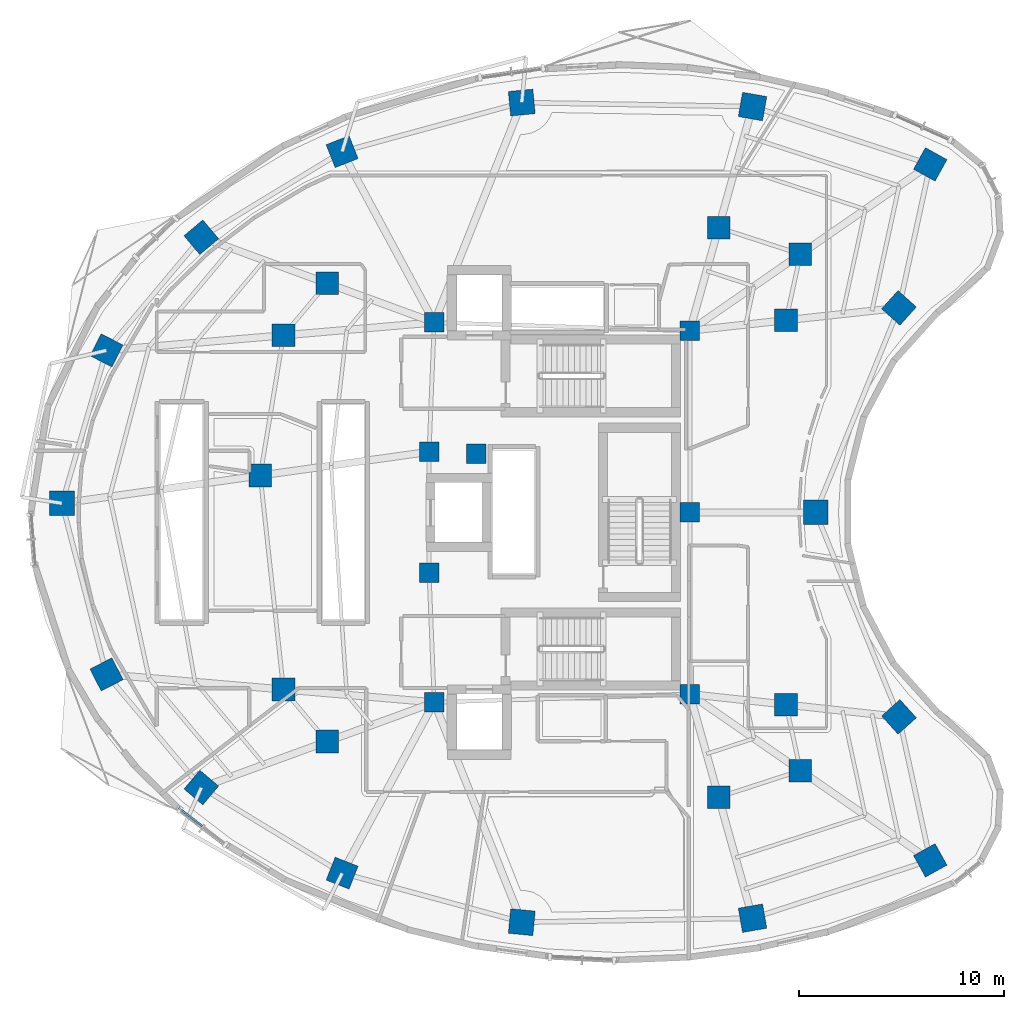
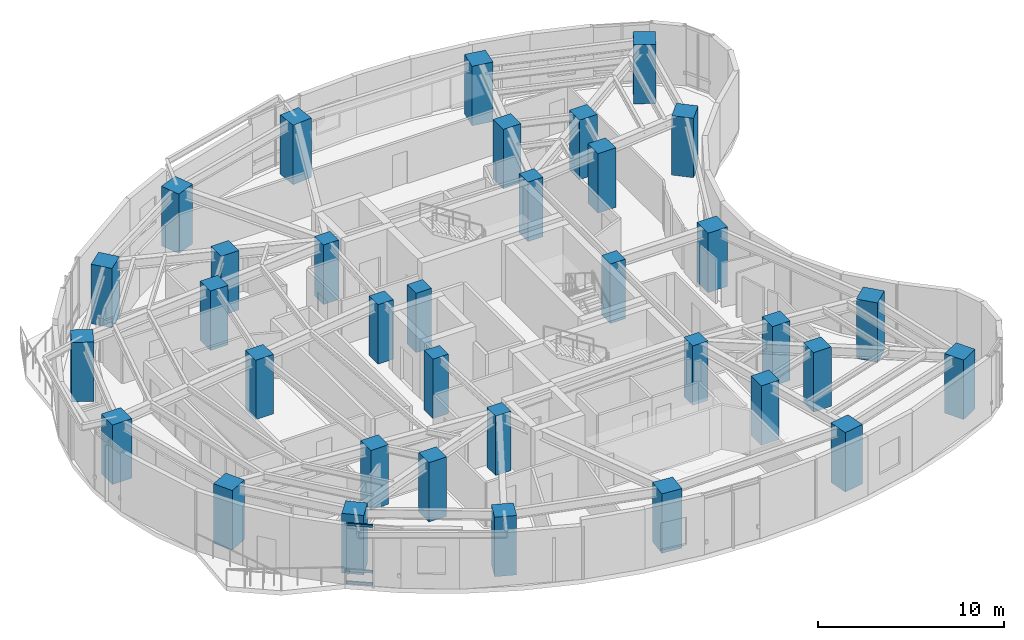
# One storey, part 1 of 15: 35 columns, 3 members, 1 element without a shape of its own.
"""IFC4 building model written with IfcOpenShell, lengths in metres."""

from ifc_helpers import new_model, si_unit, direction, frame, origin, origin_2d, place, context, subcontext, project, spatial, rectangle, extrude, material, layer, layer_set, material_profile, profile_set, type_object, element, aggregate, save


model = new_model("IFC4")

# Units and contexts
model_context = context("Model", 3, precision=1e-05, world=origin(), true_north=direction((0.0, 1.0)))
body_context = subcontext(model_context, "Body", "Model", "MODEL_VIEW")
ifc_project = project(units=[si_unit("LENGTHUNIT", "METRE"), si_unit("AREAUNIT", "SQUARE_METRE"), si_unit("VOLUMEUNIT", "CUBIC_METRE"), si_unit("PLANEANGLEUNIT", "RADIAN"), si_unit("MASSUNIT", "GRAM", prefix="KILO")], contexts=[model_context])

# Site, building, storey
site_placement = place(None, origin())
site = spatial("IfcSite", under=ifc_project, at=site_placement, CompositionType="ELEMENT")
building_placement = place(site_placement, origin())
building = spatial("IfcBuilding", under=site, at=building_placement, Name="Korentha Bioscience Tower", CompositionType="ELEMENT")
storey_placement = place(building_placement, frame((0.0, 0.0, 115.199951171875)))
storey = spatial("IfcBuildingStorey", under=building, at=storey_placement, Name="L26", CompositionType="ELEMENT", Elevation=115.199951171875)

# Columns
ifc_material_1 = material(Name="Concrete C65", Category="concrete")
ifc_material_profile_1 = material_profile(ifc_material_1, rectangle(XDim=0.949951171875, YDim=0.949951171875, at=origin_2d()), Name="Concrete C65")
ifc_profile_set_1 = profile_set([ifc_material_profile_1], Name="Concrete C65 (COL-CP09)")
column_type_1 = type_object("IfcColumnType", Name="Core Pilaster Column RC 950x950", PredefinedType="PILASTER", material=ifc_profile_set_1)
for number, where, z_axis, x_axis, name in (
    (1, (37.550048828125, 35.85009765625, -0.00048828125), (0.0, 0.0, 1.0), (1.0, 0.0, 0.0), "L26 Core Pilaster CP-01"),
    (2, (25.10009765625, 36.25, -0.00048828125), (0.0, 0.0, 1.0), (1.0, 0.0, 0.0), "L26 Core Pilaster CP-02"),
    (3, (24.85009765625, 29.949951171875, -0.00048828125), (0.0, 0.0, 1.0), (1.0, 0.0, 0.0), "L26 Core Pilaster CP-03"),
    (4, (27.14990234375, 29.85009765625, -0.00048828125), (0.0, 0.0, 1.0), (1.0, 0.0, 0.0), "L26 Core Pilaster CP-04"),
    (5, (24.85009765625, 24.050048828125, -0.00048828125), (0.0, 0.0, 1.0), (1.0, 0.0, 0.0), "L26 Core Pilaster CP-05"),
    (6, (25.10009765625, 17.75, -0.00048828125), (0.0, 0.0, 1.0), (1.0, 0.0, 0.0), "L26 Core Pilaster CP-06"),
    (7, (37.550048828125, 18.14990234375, -0.00048828125), (0.0, 0.0, 1.0), (1.0, 0.0, 0.0), "L26 Core Pilaster CP-07"),
    (8, (37.550048828125, 27.0, -0.00048828125), (0.0, 0.0, 1.0), (1.0, 0.0, 0.0), "L26 Core Pilaster CP-08"),
):
    element("IfcColumn", number, at=place(storey_placement, frame(where, z_axis=z_axis, x_axis=x_axis)), inside=storey, type_object=column_type_1, Name=name, PredefinedType="PILASTER", context=body_context, shape_type="SweptSolid", body=[
        extrude(rectangle(XDim=0.949951171875, YDim=0.949951171875, at=origin_2d()), origin(), (0.0, 0.0, 1.0), 3.901123046875),
    ])
ifc_material_2 = material(Name="Concrete C80", Category="concrete")
ifc_material_profile_2 = material_profile(ifc_material_2, rectangle(XDim=1.10009765625, YDim=1.10009765625, at=origin_2d()), Name="Concrete C80")
ifc_profile_set_2 = profile_set([ifc_material_profile_2], Name="Concrete C80 (COL-MR11)")
column_type_2 = type_object("IfcColumnType", Name="Mid-Ring Lab Column RC 1100x1100", PredefinedType="COLUMN", material=ifc_profile_set_2)
for number, where, z_axis, x_axis, name in (
    (9, (42.93603515625, 39.57470703125, -0.00048828125), (0.0, 0.0, 1.0), (1.0, 0.0, 0.0), "L26 Mid-Ring Column 01"),
    (10, (38.954833984375, 40.870849609375, -0.00048828125), (0.0, 0.0, 1.0), (1.0, 0.0, 0.0), "L26 Mid-Ring Column 02"),
    (11, (19.882568359375, 38.158935546875, -0.00048828125), (0.0, 0.0, 1.0), (1.0, 0.0, 0.0), "L26 Mid-Ring Column 05"),
    (12, (17.75927734375, 35.6240234375, -0.00048828125), (0.0, 0.0, 1.0), (1.0, 0.0, 0.0), "L26 Mid-Ring Column 06"),
    (13, (16.627197265625, 28.796630859375, -0.00048828125), (0.0, 0.0, 1.0), (1.0, 0.0, 0.0), "L26 Mid-Ring Column 07"),
    (14, (17.75927734375, 18.3759765625, -0.00048828125), (0.0, 0.0, 1.0), (1.0, 0.0, 0.0), "L26 Mid-Ring Column 08"),
    (15, (19.882568359375, 15.841064453125, -0.00048828125), (0.0, 0.0, 1.0), (1.0, 0.0, 0.0), "L26 Mid-Ring Column 09"),
    (16, (38.954833984375, 13.129150390625, -0.00048828125), (0.0, 0.0, 1.0), (1.0, 0.0, 0.0), "L26 Mid-Ring Column 12"),
    (17, (42.93603515625, 14.42529296875, -0.00048828125), (0.0, 0.0, 1.0), (1.0, 0.0, 0.0), "L26 Mid-Ring Column 13"),
    (18, (42.235595703125, 17.639404296875, -0.00048828125), (0.0, 0.0, 1.0), (1.0, 0.0, 0.0), "L26 Mid-Ring Column 14"),
    (19, (42.235595703125, 36.360595703125, -0.00048828125), (0.0, 0.0, 1.0), (1.0, 0.0, 0.0), "L26 Mid-Ring Column 16"),
):
    element("IfcColumn", number, at=place(storey_placement, frame(where, z_axis=z_axis, x_axis=x_axis)), inside=storey, type_object=column_type_2, Name=name, PredefinedType="COLUMN", context=body_context, shape_type="SweptSolid", body=[
        extrude(rectangle(XDim=1.10009765625, YDim=1.10009765625, at=origin_2d()), origin(), (0.0, 0.0, 1.0), 3.901123046875),
    ])
ifc_material_profile_3 = material_profile(ifc_material_2, rectangle(XDim=1.199951171875, YDim=1.199951171875, at=origin_2d()), Name="Concrete C80")
ifc_profile_set_3 = profile_set([ifc_material_profile_3], Name="Concrete C80 (COL-P12)")
column_type_3 = type_object("IfcColumnType", Name="Perimeter Column RC 1200x1200", PredefinedType="COLUMN", material=ifc_profile_set_3)
for number, where, z_axis, x_axis, name in (
    (20, (49.2587890625, 43.947021484375, -0.00048828125), (0.0, 0.0, 1.0), (-0.874535078577, 0.484962262797, 0.0), "L26 Perimeter Column 01"),
    (21, (40.604248046875, 46.764892578125, -0.00048828125), (0.0, 0.0, 1.0), (-0.984868307662, 0.173304404339, 0.0), "L26 Perimeter Column 02"),
    (22, (29.3642578125, 46.959228515625, -0.00048828125), (0.0, 0.0, 1.0), (0.995462868748, 0.095150811579, 0.0), "L26 Perimeter Column 03"),
    (23, (20.614990234375, 44.5693359375, -0.00048828125), (0.0, 0.0, 1.0), (0.930225540858, 0.366988341962, 0.0), "L26 Perimeter Column 04"),
    (24, (13.7578125, 40.400146484375, -0.00048828125), (0.0, 0.0, 1.0), (0.764246456939, 0.644924300253, 0.0), "L26 Perimeter Column 05"),
    (25, (9.141845703125, 34.889404296875, -0.00048828125), (0.0, 0.0, 1.0), (0.453057191132, 0.891481453292, 0.0), "L26 Perimeter Column 06"),
    (26, (6.97412109375, 27.4423828125, -0.00048828125), (0.0, 0.0, 1.0), (0.0, 1.0, 0.0), "L26 Perimeter Column 07"),
    (27, (9.141845703125, 19.110595703125, -0.00048828125), (0.0, 0.0, 1.0), (-0.453057191132, 0.891481453292, 0.0), "L26 Perimeter Column 08"),
    (28, (13.7578125, 13.599853515625, -0.00048828125), (0.0, 0.0, 1.0), (-0.764246456939, 0.644924300253, 0.0), "L26 Perimeter Column 09"),
    (29, (20.614990234375, 9.4306640625, -0.00048828125), (0.0, 0.0, 1.0), (-0.930225540858, 0.366988341962, 0.0), "L26 Perimeter Column 10"),
    (30, (29.3642578125, 7.040771484375, -0.00048828125), (0.0, 0.0, 1.0), (-0.995462868748, 0.095150811579, 0.0), "L26 Perimeter Column 11"),
    (31, (40.604248046875, 7.235107421875, -0.00048828125), (0.0, 0.0, 1.0), (0.984868307662, 0.173304404339, 0.0), "L26 Perimeter Column 12"),
    (32, (49.2587890625, 10.052978515625, -0.00048828125), (0.0, 0.0, 1.0), (0.874535078577, 0.484962262797, 0.0), "L26 Perimeter Column 13"),
    (33, (47.736083984375, 17.040283203125, -0.00048828125), (0.0, 0.0, 1.0), (-0.669130606359, 0.743144825477, 0.0), "L26 Perimeter Column 14"),
    (34, (43.680908203125, 27.0, -0.00048828125), (0.0, 0.0, 1.0), (0.0, 1.0, 0.0), "L26 Perimeter Column 15"),
    (35, (47.736083984375, 36.959716796875, -0.00048828125), (0.0, 0.0, 1.0), (0.669130606359, 0.743144825477, 0.0), "L26 Perimeter Column 16"),
):
    element("IfcColumn", number, at=place(storey_placement, frame(where, z_axis=z_axis, x_axis=x_axis)), inside=storey, type_object=column_type_3, Name=name, PredefinedType="COLUMN", context=body_context, shape_type="SweptSolid", body=[
        extrude(rectangle(XDim=1.199951171875, YDim=1.199951171875, at=origin_2d()), origin(), (0.0, 0.0, 1.0), 3.901123046875),
    ])

# Curtain wall, members
ifc_material_3 = material(Name="Thermally Broken Aluminium Frame", Category="aluminium")
ifc_layer = layer(ifc_material_3, 0.219970703125, Name="Thermally Broken Aluminium Frame")
ifc_layer_set = layer_set([ifc_layer], Name="Thermally Broken Aluminium Frame (CW-T2)")
curtain_wall_type = type_object("IfcCurtainWallType", Name="Solar-Screened Lab Unitised Curtain Wall CW-T2", PredefinedType="USERDEFINED", material=ifc_layer_set)
curtain_wall_placement = place(storey_placement, origin())
curtain_wall = element("IfcCurtainWall", 36, at=curtain_wall_placement, inside=storey, type_object=curtain_wall_type, Name="L26 Curtain Wall 25", ObjectType="UNITISED", PredefinedType="USERDEFINED")
ifc_material_4 = material(Name="Anodised Aluminium 6063-T6", Category="aluminium")
ifc_material_profile_4 = material_profile(ifc_material_4, rectangle(XDim=0.090087890625, YDim=0.159912109375, at=origin_2d()), Name="Anodised Aluminium 6063-T6")
ifc_profile_set_4 = profile_set([ifc_material_profile_4], Name="Anodised Aluminium 6063-T6 (CW-TRN)")
member_type = type_object("IfcMemberType", Name="Transom RECT 90x160", PredefinedType="USERDEFINED", material=ifc_profile_set_4)
member_1_placement = place(storey_placement, frame((12.659912109375, 12.601318359375, 0.045166015625), z_axis=(0.794559026989, -0.607186917374, 0.0), x_axis=(0.607186917374, 0.794559026989, 0.0)))
member_1 = element("IfcMember", 37, at=member_1_placement, type_object=member_type, Name="CW-L26-25 Bay 1 Transom 1", ObjectType="TRANSOM", PredefinedType="USERDEFINED", context=body_context, shape_type="SweptSolid", body=[
    extrude(rectangle(XDim=0.090087890625, YDim=0.159912109375, at=origin_2d()), origin(), (0.0, 0.0, 1.0), 1.4462890625),
])
member_2_placement = place(storey_placement, frame((12.659912109375, 12.601318359375, 0.85009765625), z_axis=(0.794559026989, -0.607186917374, 0.0), x_axis=(0.607186917374, 0.794559026989, 0.0)))
member_2 = element("IfcMember", 38, at=member_2_placement, type_object=member_type, Name="CW-L26-25 Bay 1 Transom 2", ObjectType="TRANSOM", PredefinedType="USERDEFINED", context=body_context, shape_type="SweptSolid", body=[
    extrude(rectangle(XDim=0.090087890625, YDim=0.159912109375, at=origin_2d()), origin(), (0.0, 0.0, 1.0), 1.4462890625),
])
member_3_placement = place(storey_placement, frame((12.659912109375, 12.601318359375, 3.85498046875), z_axis=(0.794559026989, -0.607186917374, 0.0), x_axis=(0.607186917374, 0.794559026989, 0.0)))
member_3 = element("IfcMember", 39, at=member_3_placement, type_object=member_type, Name="CW-L26-25 Bay 1 Transom 3", ObjectType="TRANSOM", PredefinedType="USERDEFINED", context=body_context, shape_type="SweptSolid", body=[
    extrude(rectangle(XDim=0.090087890625, YDim=0.159912109375, at=origin_2d()), origin(), (0.0, 0.0, 1.0), 1.4462890625),
])
aggregate(curtain_wall, [member_1, member_2, member_3])

save(model, "model.ifc")
